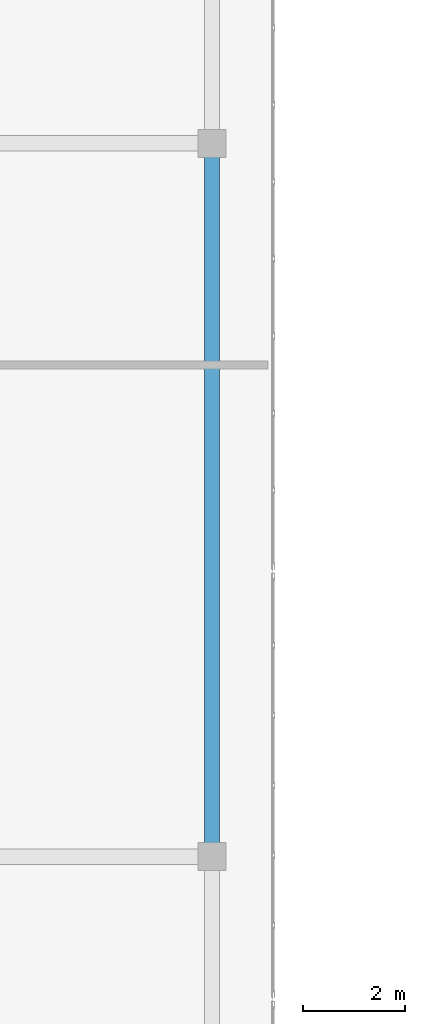
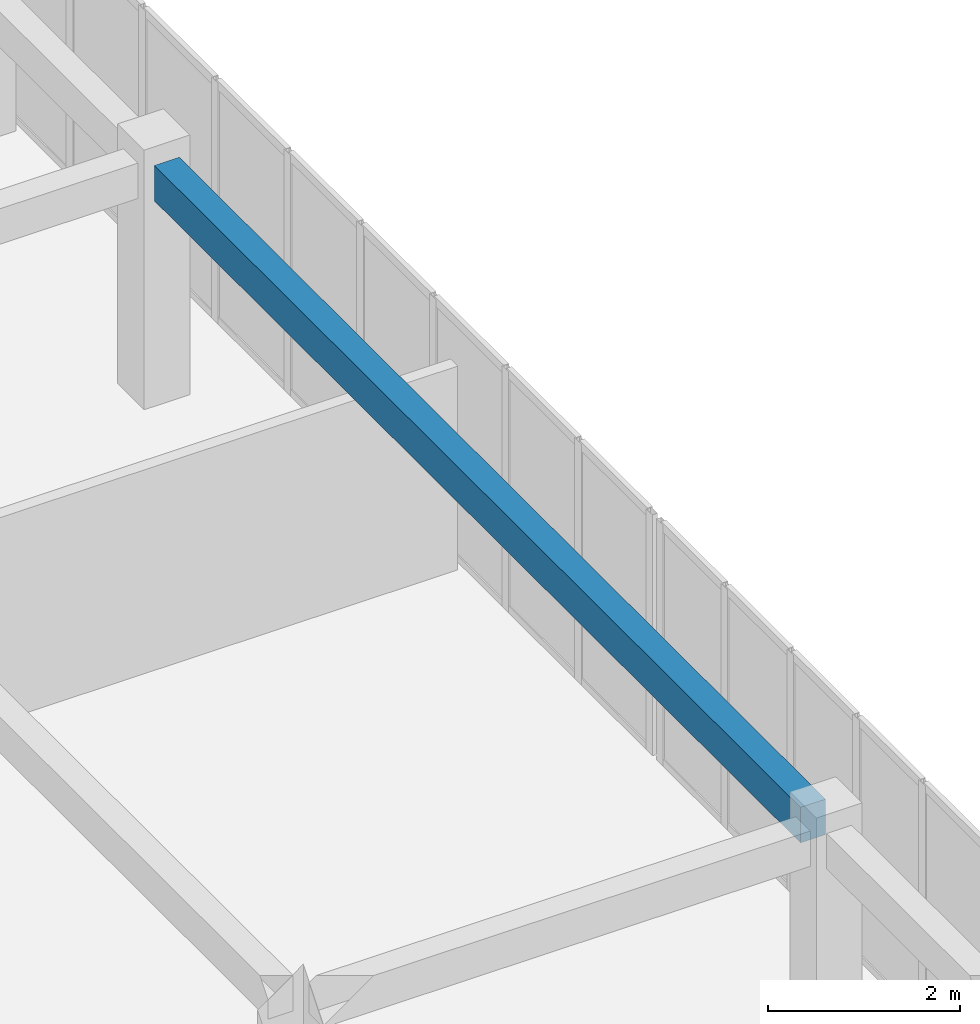
# One storey, part 48 of 148: 1 beam.
"""IFC4 building model written with IfcOpenShell, lengths in metres."""

from ifc_helpers import new_model, si_unit, direction, frame, origin, origin_2d, place, context, subcontext, project, spatial, rectangle, extrude, material, material_profile, profile_set, type_object, element, save


model = new_model("IFC4")

# Units and contexts
model_context = context("Model", 3, precision=1e-05, world=origin(), true_north=direction((0.0, 1.0)))
body_context = subcontext(model_context, "Body", "Model", "MODEL_VIEW")
ifc_project = project(units=[si_unit("LENGTHUNIT", "METRE"), si_unit("AREAUNIT", "SQUARE_METRE"), si_unit("VOLUMEUNIT", "CUBIC_METRE"), si_unit("PLANEANGLEUNIT", "RADIAN"), si_unit("MASSUNIT", "GRAM", prefix="KILO")], contexts=[model_context])

# Site, building, storey
site_placement = place(None, origin())
site = spatial("IfcSite", under=ifc_project, at=site_placement, CompositionType="ELEMENT")
building_placement = place(site_placement, origin())
building = spatial("IfcBuilding", under=site, at=building_placement, Name="Trelvath General Hospital", CompositionType="ELEMENT")
storey_placement = place(building_placement, frame((0.0, 0.0, 12.89990234375)))
storey = spatial("IfcBuildingStorey", under=building, at=storey_placement, Name="L03", CompositionType="ELEMENT", Elevation=12.89990234375)

# Beam
ifc_material = material(Name="Concrete C35/45", Category="concrete")
ifc_material_profile = material_profile(ifc_material, rectangle(XDim=0.300048828125, YDim=0.449951171875, at=origin_2d()), Name="RCB300x450")
ifc_profile_set = profile_set([ifc_material_profile], Name="Concrete C35/45")
beam_type = type_object("IfcBeamType", Name="Beam RC300x450", PredefinedType="BEAM", material=ifc_profile_set)
beam_placement = place(storey_placement, frame((113.60009765625, 45.071044921875, 2.835205078125), z_axis=(0.0, 1.0, 0.0), x_axis=(-1.0, 0.0, 0.0)))
element("IfcBeam", 1, at=beam_placement, inside=storey, type_object=beam_type, Name="Cube Interior Ring Beam CUBE-E-T1 L03", PredefinedType="BEAM", context=body_context, shape_type="SweptSolid", body=[
    extrude(rectangle(XDim=0.300048828125, YDim=0.449951171875, at=origin_2d()), origin(), (0.0, 0.0, 1.0), 13.4580078125),
])

save(model, "model.ifc")
